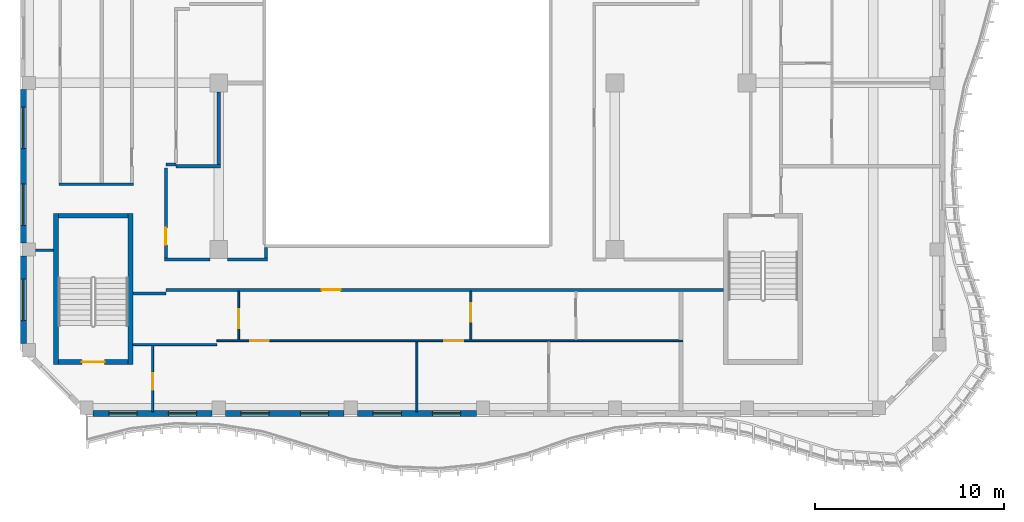
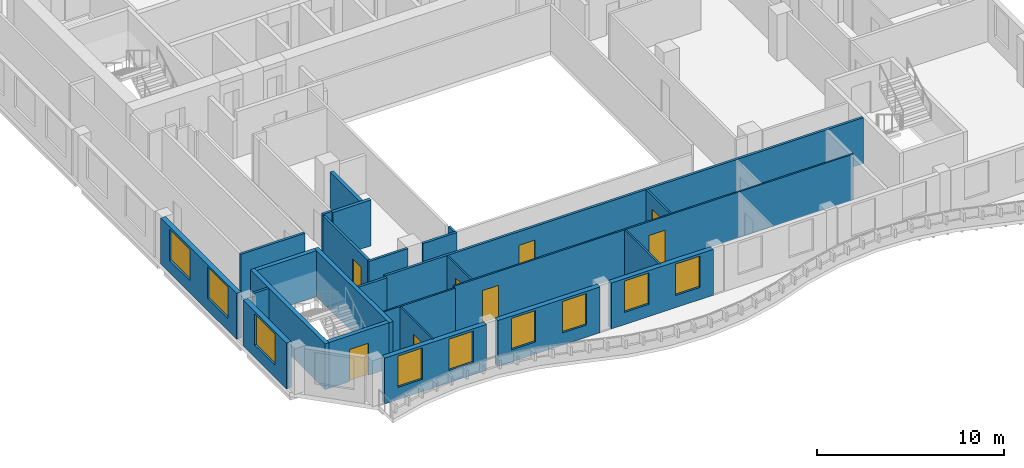
# One storey, part 2 of 13: 26 walls, 9 windows, 8 doors, 17 openings.
"""IFC4 building model written with IfcOpenShell, lengths in metres."""

from ifc_helpers import new_model, si_unit, direction, frame, frame_2d, origin, place, context, subcontext, project, spatial, rectangle, extrude, source, transform, mapped, material, layer, layer_set, type_object, element, fill, save


model = new_model("IFC4")

# Units and contexts
model_context = context("Model", 3, precision=1e-05, world=origin(), true_north=direction((0.0, 1.0)))
body_context = subcontext(model_context, "Body", "Model", "MODEL_VIEW")
ifc_project = project(units=[si_unit("LENGTHUNIT", "METRE"), si_unit("AREAUNIT", "SQUARE_METRE"), si_unit("VOLUMEUNIT", "CUBIC_METRE"), si_unit("PLANEANGLEUNIT", "RADIAN"), si_unit("MASSUNIT", "GRAM", prefix="KILO")], contexts=[model_context])

# Site, building, storey
site_placement = place(None, origin())
site = spatial("IfcSite", under=ifc_project, at=site_placement, CompositionType="ELEMENT")
building_placement = place(site_placement, origin())
building = spatial("IfcBuilding", under=site, at=building_placement, Name="Kilnfold Tower and Market Hall", CompositionType="ELEMENT")
storey_placement = place(building_placement, frame((0.0, 0.0, 259.39990234375)))
storey = spatial("IfcBuildingStorey", under=building, at=storey_placement, Name="L63", CompositionType="ELEMENT", Elevation=259.39990234375)

# Wall
ifc_material_1 = material(Name="Gypsum board on steel studs", Category="steel")
ifc_layer_1 = layer(ifc_material_1, 0.14990234375)
ifc_layer_set_1 = layer_set([ifc_layer_1], Name="Gypsum board on steel studs")
wall_type_1 = type_object("IfcWallType", Name="WALL CORRIDOR 150", PredefinedType="PARTITIONING", material=ifc_layer_set_1)
wall_1_placement = place(storey_placement, frame((-17.47509765625, -6.199951171875, 0.0), z_axis=(0.0, 0.0, 1.0), x_axis=(1.0, 0.0, 0.0)))
element("IfcWall", 1, at=wall_1_placement, inside=storey, type_object=wall_type_1, Name="Partition LY39.2", PredefinedType="PARTITIONING", context=body_context, shape_type="SweptSolid", body=[
    extrude(rectangle(XDim=3.9501953125, YDim=0.14990234375, at=frame_2d((1.97509765625, 0.0))), origin(), (0.0, 0.0, 1.0), 3.0),
])

# Wall, opening, door
wall_2_placement = place(storey_placement, frame((-11.800048828125, -11.800048828125, 0.0), z_axis=(0.0, 0.0, 1.0), x_axis=(1.0, 0.0, 0.0)))
wall_2 = element("IfcWall", 2, at=wall_2_placement, inside=storey, type_object=wall_type_1, Name="Partition LY39.9", PredefinedType="PARTITIONING", context=body_context, shape_type="SweptSolid", body=[
    extrude(rectangle(XDim=29.550048828125, YDim=0.14990234375, at=frame_2d((14.77490234375, 0.0))), origin(), (0.0, 0.0, 1.0), 3.0),
])
opening_1_placement = place(wall_2_placement, frame((8.260009765625, 0.0, 0.0)))
opening_1 = element("IfcOpeningElement", 3, at=opening_1_placement, cuts=wall_2, Name="Opening D1", PredefinedType="OPENING", context=body_context, shape_type="SweptSolid", body=[
    extrude(rectangle(XDim=1.0, YDim=2.10009765625, at=frame_2d((0.5, 1.050048828125))), frame((0.0, 0.0849609375, 0.0), z_axis=(0.0, -1.0, 0.0), x_axis=(1.0, 0.0, 0.0)), (0.0, 0.0, 1.0), 0.169921875),
])
ifc_material_2 = material(Name="Timber veneer door leaf in steel frame", Category="steel")
door_type_1 = type_object("IfcDoorType", Name="DOOR ENTRY 1000 X2100", OperationType="NOTDEFINED", PredefinedType="DOOR", material=ifc_material_2)
door_1_placement = place(opening_1_placement, origin())
door_1 = element("IfcDoor", 4, at=door_1_placement, inside=storey, type_object=door_type_1, Name="Door D1", OperationType="SINGLE_SWING_LEFT", OverallHeight=2.10009765625, OverallWidth=1.0, PredefinedType="DOOR", context=body_context, shape_type="SweptSolid", body=[
    extrude(rectangle(XDim=1.0, YDim=2.10009765625, at=frame_2d((0.5, 1.050048828125))), frame((0.0, 0.02490234375, 0.0), z_axis=(0.0, -1.0, 0.0), x_axis=(1.0, 0.0, 0.0)), (0.0, 0.0, 1.0), 0.050048828125),
])
fill(opening_1, door_1)

# Walls
wall_3_placement = place(storey_placement, frame((-13.550048828125, -12.0, 0.0), z_axis=(0.0, 0.0, 1.0), x_axis=(1.0, 0.0, 0.0)))
element("IfcWall", 5, at=wall_3_placement, inside=storey, type_object=wall_type_1, Name="Partition LY39.10", PredefinedType="PARTITIONING", context=body_context, shape_type="SweptSolid", body=[
    extrude(rectangle(XDim=1.75, YDim=0.14990234375, at=frame_2d((0.875, 0.0))), origin(), (0.0, 0.0, 1.0), 3.0),
])
wall_4_placement = place(storey_placement, frame((-18.699951171875, -9.699951171875, 0.0), z_axis=(0.0, 0.0, 1.0), x_axis=(1.0, 0.0, 0.0)))
element("IfcWall", 6, at=wall_4_placement, inside=storey, type_object=wall_type_1, Name="Partition LY39.11", PredefinedType="PARTITIONING", context=body_context, shape_type="SweptSolid", body=[
    extrude(rectangle(XDim=0.949951171875, YDim=0.14990234375, at=frame_2d((0.47509765625, 0.0))), origin(), (0.0, 0.0, 1.0), 3.0),
])
wall_5_placement = place(storey_placement, frame((-11.800048828125, -5.162109375, 0.0), z_axis=(0.0, 0.0, 1.0), x_axis=(1.0, 0.0, 0.0)))
element("IfcWall", 7, at=wall_5_placement, inside=storey, type_object=wall_type_1, Name="Partition LY39.24", PredefinedType="PARTITIONING", context=body_context, shape_type="SweptSolid", body=[
    extrude(rectangle(XDim=0.5439453125, YDim=0.14990234375, at=frame_2d((0.27197265625, 0.0))), origin(), (0.0, 0.0, 1.0), 3.0),
])

# Wall, opening, door
wall_6_placement = place(storey_placement, frame((-11.800048828125, -10.125, 0.0), z_axis=(0.0, 0.0, 1.0), x_axis=(0.0, 1.0, 0.0)))
wall_6 = element("IfcWall", 8, at=wall_6_placement, inside=storey, type_object=wall_type_1, Name="Partition LY39.28", PredefinedType="PARTITIONING", context=body_context, shape_type="SweptSolid", body=[
    extrude(rectangle(XDim=4.784912109375, YDim=0.14990234375, at=frame_2d((2.392578125, 0.0))), origin(), (0.0, 0.0, 1.0), 3.0),
])
opening_2_placement = place(wall_6_placement, frame((0.712890625, 0.0, 0.0)))
opening_2 = element("IfcOpeningElement", 9, at=opening_2_placement, cuts=wall_6, Name="Opening D2", PredefinedType="OPENING", context=body_context, shape_type="SweptSolid", body=[
    extrude(rectangle(XDim=0.89990234375, YDim=2.10009765625, at=frame_2d((0.449951171875, 1.050048828125))), frame((0.0, 0.0849609375, 0.0), z_axis=(0.0, -1.0, 0.0), x_axis=(1.0, 0.0, 0.0)), (0.0, 0.0, 1.0), 0.169921875),
])
ifc_material_3 = material(Name="Timber veneer door leaf in steel frame", Category="steel")
door_type_2 = type_object("IfcDoorType", Name="DOOR ROOM 900 X2100", OperationType="NOTDEFINED", PredefinedType="DOOR", material=ifc_material_3)
door_2_placement = place(opening_2_placement, origin())
door_2 = element("IfcDoor", 10, at=door_2_placement, inside=storey, type_object=door_type_2, Name="Door D2", OperationType="SINGLE_SWING_RIGHT", OverallHeight=2.10009765625, OverallWidth=0.89990234375, PredefinedType="DOOR", context=body_context, shape_type="SweptSolid", body=[
    extrude(rectangle(XDim=0.89990234375, YDim=2.10009765625, at=frame_2d((0.449951171875, 1.050048828125))), frame((0.0, 0.02490234375, 0.0), z_axis=(0.0, -1.0, 0.0), x_axis=(1.0, 0.0, 0.0)), (0.0, 0.0, 1.0), 0.050048828125),
])
fill(opening_2, door_2)

# Walls
wall_7_placement = place(storey_placement, frame((-8.52490234375, -10.199951171875, 0.0), z_axis=(0.0, 0.0, 1.0), x_axis=(1.0, 0.0, 0.0)))
element("IfcWall", 11, at=wall_7_placement, inside=storey, type_object=wall_type_1, Name="Partition LY39.29", PredefinedType="PARTITIONING", context=body_context, shape_type="SweptSolid", body=[
    extrude(rectangle(XDim=2.099853515625, YDim=0.14990234375, at=frame_2d((1.0498046875, 0.0))), origin(), (0.0, 0.0, 1.0), 3.0),
])
wall_8_placement = place(storey_placement, frame((-11.875, -10.199951171875, 0.0), z_axis=(0.0, 0.0, 1.0), x_axis=(1.0, 0.0, 0.0)))
element("IfcWall", 12, at=wall_8_placement, inside=storey, type_object=wall_type_1, Name="Partition LY39.30", PredefinedType="PARTITIONING", context=body_context, shape_type="SweptSolid", body=[
    extrude(rectangle(XDim=2.39990234375, YDim=0.14990234375, at=frame_2d((1.199951171875, 0.0))), origin(), (0.0, 0.0, 1.0), 3.0),
])
wall_9_placement = place(storey_placement, frame((-6.5, -9.550048828125, 0.0), z_axis=(0.0, 0.0, 1.0), x_axis=(0.0, -1.0, 0.0)))
element("IfcWall", 13, at=wall_9_placement, inside=storey, type_object=wall_type_1, Name="Partition LY39.31", PredefinedType="PARTITIONING", context=body_context, shape_type="SweptSolid", body=[
    extrude(rectangle(XDim=0.574951171875, YDim=0.14990234375, at=frame_2d((0.28759765625, 0.0))), origin(), (0.0, 0.0, 1.0), 3.0),
])

# Wall, opening, door
ifc_material_4 = material(Name="Gypsum board on steel studs", Category="steel")
ifc_layer_2 = layer(ifc_material_4, 0.10009765625)
ifc_layer_set_2 = layer_set([ifc_layer_2], Name="Gypsum board on steel studs")
wall_type_2 = type_object("IfcWallType", Name="WALL PARTITION 100", PredefinedType="PARTITIONING", material=ifc_layer_set_2)
wall_10_placement = place(storey_placement, frame((-7.93994140625, -14.449951171875, 0.0), z_axis=(0.0, 0.0, 1.0), x_axis=(0.0, 1.0, 0.0)))
wall_10 = element("IfcWall", 14, at=wall_10_placement, inside=storey, type_object=wall_type_2, Name="Partition LY39.44", PredefinedType="PARTITIONING", context=body_context, shape_type="SweptSolid", body=[
    extrude(rectangle(XDim=2.572998046875, YDim=0.10009765625, at=frame_2d((1.28662109375, 0.0))), origin(), (0.0, 0.0, 1.0), 3.0),
])
opening_3_placement = place(wall_10_placement, frame((0.626953125, 0.0, 0.0)))
opening_3 = element("IfcOpeningElement", 15, at=opening_3_placement, cuts=wall_10, Name="Opening D1", PredefinedType="OPENING", context=body_context, shape_type="SweptSolid", body=[
    extrude(rectangle(XDim=1.0, YDim=2.10009765625, at=frame_2d((0.5, 1.050048828125))), frame((0.0, 0.06005859375, 0.0), z_axis=(0.0, -1.0, 0.0), x_axis=(1.0, 0.0, 0.0)), (0.0, 0.0, 1.0), 0.1201171875),
])
door_3_placement = place(opening_3_placement, origin())
door_3 = element("IfcDoor", 16, at=door_3_placement, inside=storey, type_object=door_type_1, Name="Door D1", OperationType="SINGLE_SWING_RIGHT", OverallHeight=2.10009765625, OverallWidth=1.0, PredefinedType="DOOR", context=body_context, shape_type="SweptSolid", body=[
    extrude(rectangle(XDim=1.0, YDim=2.10009765625, at=frame_2d((0.5, 1.050048828125))), frame((0.0, 0.02490234375, 0.0), z_axis=(0.0, -1.0, 0.0), x_axis=(1.0, 0.0, 0.0)), (0.0, 0.0, 1.0), 0.050048828125),
])
fill(opening_3, door_3)

# Wall
wall_11_placement = place(storey_placement, frame((-13.550048828125, -14.699951171875, 0.0), z_axis=(0.0, 0.0, 1.0), x_axis=(1.0, 0.0, 0.0)))
element("IfcWall", 17, at=wall_11_placement, inside=storey, type_object=wall_type_2, Name="Partition LY39.45", PredefinedType="PARTITIONING", context=body_context, shape_type="SweptSolid", body=[
    extrude(rectangle(XDim=4.449951171875, YDim=0.10009765625, at=frame_2d((2.22509765625, 0.0))), origin(), (0.0, 0.0, 1.0), 3.0),
])

# Wall, openings, doors
wall_12_placement = place(storey_placement, frame((-9.10009765625, -14.5, 0.0), z_axis=(0.0, 0.0, 1.0), x_axis=(1.0, 0.0, 0.0)))
wall_12 = element("IfcWall", 18, at=wall_12_placement, inside=storey, type_object=wall_type_2, Name="Partition LY39.46", PredefinedType="PARTITIONING", context=body_context, shape_type="SweptSolid", body=[
    extrude(rectangle(XDim=24.7001953125, YDim=0.10009765625, at=frame_2d((12.35009765625, 0.0))), origin(), (0.0, 0.0, 1.0), 3.0),
])
opening_4_placement = place(wall_12_placement, frame((1.762939453125, 0.0, 0.0)))
opening_4 = element("IfcOpeningElement", 19, at=opening_4_placement, cuts=wall_12, Name="Opening D1", PredefinedType="OPENING", context=body_context, shape_type="SweptSolid", body=[
    extrude(rectangle(XDim=1.0, YDim=2.10009765625, at=frame_2d((0.5, 1.050048828125))), frame((0.0, 0.06005859375, 0.0), z_axis=(0.0, -1.0, 0.0), x_axis=(1.0, 0.0, 0.0)), (0.0, 0.0, 1.0), 0.1201171875),
])
opening_5_placement = place(wall_12_placement, frame((12.054931640625, 0.0, 0.0)))
opening_5 = element("IfcOpeningElement", 20, at=opening_5_placement, cuts=wall_12, Name="Opening D1", PredefinedType="OPENING", context=body_context, shape_type="SweptSolid", body=[
    extrude(rectangle(XDim=1.0, YDim=2.10009765625, at=frame_2d((0.5, 1.050048828125))), frame((0.0, 0.06005859375, 0.0), z_axis=(0.0, -1.0, 0.0), x_axis=(1.0, 0.0, 0.0)), (0.0, 0.0, 1.0), 0.1201171875),
])
door_4_placement = place(opening_4_placement, origin())
door_4 = element("IfcDoor", 21, at=door_4_placement, inside=storey, type_object=door_type_1, Name="Door D1", OperationType="SINGLE_SWING_LEFT", OverallHeight=2.10009765625, OverallWidth=1.0, PredefinedType="DOOR", context=body_context, shape_type="SweptSolid", body=[
    extrude(rectangle(XDim=1.0, YDim=2.10009765625, at=frame_2d((0.5, 1.050048828125))), frame((0.0, 0.02490234375, 0.0), z_axis=(0.0, -1.0, 0.0), x_axis=(1.0, 0.0, 0.0)), (0.0, 0.0, 1.0), 0.050048828125),
])
fill(opening_4, door_4)
door_5_placement = place(opening_5_placement, origin())
door_5 = element("IfcDoor", 22, at=door_5_placement, inside=storey, type_object=door_type_1, Name="Door D1", OperationType="SINGLE_SWING_LEFT", OverallHeight=2.10009765625, OverallWidth=1.0, PredefinedType="DOOR", context=body_context, shape_type="SweptSolid", body=[
    extrude(rectangle(XDim=1.0, YDim=2.10009765625, at=frame_2d((0.5, 1.050048828125))), frame((0.0, 0.02490234375, 0.0), z_axis=(0.0, -1.0, 0.0), x_axis=(1.0, 0.0, 0.0)), (0.0, 0.0, 1.0), 0.050048828125),
])
fill(opening_5, door_5)

# Wall, opening, door
wall_13_placement = place(storey_placement, frame((4.365966796875, -14.449951171875, 0.0), z_axis=(0.0, 0.0, 1.0), x_axis=(0.0, 1.0, 0.0)))
wall_13 = element("IfcWall", 23, at=wall_13_placement, inside=storey, type_object=wall_type_2, Name="Partition LY39.47", PredefinedType="PARTITIONING", context=body_context, shape_type="SweptSolid", body=[
    extrude(rectangle(XDim=2.572998046875, YDim=0.10009765625, at=frame_2d((1.28662109375, 0.0))), origin(), (0.0, 0.0, 1.0), 3.0),
])
opening_6_placement = place(wall_13_placement, frame((0.946044921875, 0.0, 0.0)))
opening_6 = element("IfcOpeningElement", 24, at=opening_6_placement, cuts=wall_13, Name="Opening D1", PredefinedType="OPENING", context=body_context, shape_type="SweptSolid", body=[
    extrude(rectangle(XDim=1.0, YDim=2.10009765625, at=frame_2d((0.5, 1.050048828125))), frame((0.0, 0.06005859375, 0.0), z_axis=(0.0, -1.0, 0.0), x_axis=(1.0, 0.0, 0.0)), (0.0, 0.0, 1.0), 0.1201171875),
])
door_6_placement = place(opening_6_placement, origin())
door_6 = element("IfcDoor", 25, at=door_6_placement, inside=storey, type_object=door_type_1, Name="Door D1", OperationType="SINGLE_SWING_RIGHT", OverallHeight=2.10009765625, OverallWidth=1.0, PredefinedType="DOOR", context=body_context, shape_type="SweptSolid", body=[
    extrude(rectangle(XDim=1.0, YDim=2.10009765625, at=frame_2d((0.5, 1.050048828125))), frame((0.0, 0.02490234375, 0.0), z_axis=(0.0, -1.0, 0.0), x_axis=(1.0, 0.0, 0.0)), (0.0, 0.0, 1.0), 0.050048828125),
])
fill(opening_6, door_6)

wall_14_placement = place(storey_placement, frame((-12.5, -18.25, 0.0), z_axis=(0.0, 0.0, 1.0), x_axis=(0.0, 1.0, 0.0)))
wall_14 = element("IfcWall", 26, at=wall_14_placement, inside=storey, type_object=wall_type_2, Name="Partition LY39.50", PredefinedType="PARTITIONING", context=body_context, shape_type="SweptSolid", body=[
    extrude(rectangle(XDim=3.498046875, YDim=0.10009765625, at=frame_2d((1.7490234375, 0.0))), origin(), (0.0, 0.0, 1.0), 3.0),
])
opening_7_placement = place(wall_14_placement, frame((1.14208984375, 0.0, 0.0)))
opening_7 = element("IfcOpeningElement", 27, at=opening_7_placement, cuts=wall_14, Name="Opening D2", PredefinedType="OPENING", context=body_context, shape_type="SweptSolid", body=[
    extrude(rectangle(XDim=0.89990234375, YDim=2.10009765625, at=frame_2d((0.449951171875, 1.050048828125))), frame((0.0, 0.06005859375, 0.0), z_axis=(0.0, -1.0, 0.0), x_axis=(1.0, 0.0, 0.0)), (0.0, 0.0, 1.0), 0.1201171875),
])
door_7_placement = place(opening_7_placement, origin())
door_7 = element("IfcDoor", 28, at=door_7_placement, inside=storey, type_object=door_type_2, Name="Door D2", OperationType="SINGLE_SWING_LEFT", OverallHeight=2.10009765625, OverallWidth=0.89990234375, PredefinedType="DOOR", context=body_context, shape_type="SweptSolid", body=[
    extrude(rectangle(XDim=0.89990234375, YDim=2.10009765625, at=frame_2d((0.449951171875, 1.050048828125))), frame((0.0, 0.02490234375, 0.0), z_axis=(0.0, -1.0, 0.0), x_axis=(1.0, 0.0, 0.0)), (0.0, 0.0, 1.0), 0.050048828125),
])
fill(opening_7, door_7)

# Walls
wall_15_placement = place(storey_placement, frame((1.5, -18.25, 0.0), z_axis=(0.0, 0.0, 1.0), x_axis=(0.0, 1.0, 0.0)))
element("IfcWall", 29, at=wall_15_placement, inside=storey, type_object=wall_type_2, Name="Partition LY39.51", PredefinedType="PARTITIONING", context=body_context, shape_type="SweptSolid", body=[
    extrude(rectangle(XDim=3.697998046875, YDim=0.10009765625, at=frame_2d((1.84912109375, 0.0))), origin(), (0.0, 0.0, 1.0), 3.0),
])
ifc_material_5 = material(Name="Gypsum board on steel studs", Category="steel")
ifc_layer_3 = layer(ifc_material_5, 0.199951171875)
ifc_layer_set_3 = layer_set([ifc_layer_3], Name="Gypsum board on steel studs")
wall_type_3 = type_object("IfcWallType", Name="WALL PARTY 200", PredefinedType="PARTITIONING", material=ifc_layer_set_3)
wall_16_placement = place(storey_placement, frame((-9.0, -5.14990234375, 0.0), z_axis=(0.0, 0.0, 1.0), x_axis=(0.0, 1.0, 0.0)))
element("IfcWall", 30, at=wall_16_placement, inside=storey, type_object=wall_type_3, Name="Partition LY39.78", PredefinedType="PARTITIONING", context=body_context, shape_type="SweptSolid", body=[
    extrude(rectangle(XDim=3.841796875, YDim=0.199951171875, at=frame_2d((1.9208984375, 0.0))), origin(), (0.0, 0.0, 1.0), 2.4501953125),
])
wall_17_placement = place(storey_placement, frame((-11.256103515625, -5.25, 0.0), z_axis=(0.0, 0.0, 1.0), x_axis=(1.0, 0.0, 0.0)))
element("IfcWall", 31, at=wall_17_placement, inside=storey, type_object=wall_type_3, Name="Partition LY39.79", PredefinedType="PARTITIONING", context=body_context, shape_type="SweptSolid", body=[
    extrude(rectangle(XDim=2.356201171875, YDim=0.199951171875, at=frame_2d((1.17822265625, 0.0))), origin(), (0.0, 0.0, 1.0), 3.0),
])

# Wall, opening, door
ifc_material_6 = material(Name="Concrete C60", Category="concrete")
ifc_layer_4 = layer(ifc_material_6, 0.25)
ifc_layer_set_4 = layer_set([ifc_layer_4], Name="Concrete C60")
wall_type_4 = type_object("IfcWallType", Name="CORE WALL 250 C60", PredefinedType="SHEAR", material=ifc_layer_set_4)
shared_shape_1 = source(origin(), body_context, "Body", "SweptSolid", [
    extrude(rectangle(XDim=3.699951171875, YDim=0.25, at=frame_2d((1.85009765625, 0.0))), origin(), (0.0, 0.0, 1.0), 3.0),
])
wall_18_placement = place(storey_placement, frame((-17.5, -15.625, 0.0), z_axis=(0.0, 0.0, 1.0), x_axis=(1.0, 0.0, 0.0)))
wall_18 = element("IfcWall", 32, at=wall_18_placement, inside=storey, type_object=wall_type_4, Name="Stair enclosure ST3", PredefinedType="SHEAR", context=body_context, shape_type="MappedRepresentation", body=[
    mapped(shared_shape_1, transform((0.0, 0.0, 0.0))),
])
opening_8_placement = place(wall_18_placement, frame((1.25, 0.0, 0.0)))
opening_8 = element("IfcOpeningElement", 33, at=opening_8_placement, cuts=wall_18, Name="Opening SD1", PredefinedType="OPENING", context=body_context, shape_type="SweptSolid", body=[
    extrude(rectangle(XDim=1.199951171875, YDim=2.10009765625, at=frame_2d((0.60009765625, 1.050048828125))), frame((0.0, 0.135009765625, 0.0), z_axis=(0.0, -1.0, 0.0), x_axis=(1.0, 0.0, 0.0)), (0.0, 0.0, 1.0), 0.27001953125),
])
ifc_material_7 = material(Name="Steel door set with fire-resisting leaf", Category="steel")
door_type_3 = type_object("IfcDoorType", Name="STAIR FLOOR DOOR 1200X2100", OperationType="NOTDEFINED", PredefinedType="DOOR", material=ifc_material_7)
door_8_placement = place(opening_8_placement, origin())
door_8 = element("IfcDoor", 34, at=door_8_placement, inside=storey, type_object=door_type_3, Name="Exit stair ST3 door", OperationType="DOUBLE_DOOR_SINGLE_SWING", OverallHeight=2.10009765625, OverallWidth=1.199951171875, PredefinedType="DOOR", context=body_context, shape_type="SweptSolid", body=[
    extrude(rectangle(XDim=1.199951171875, YDim=2.10009765625, at=frame_2d((0.60009765625, 1.050048828125))), frame((0.0, 0.02490234375, 0.0), z_axis=(0.0, -1.0, 0.0), x_axis=(1.0, 0.0, 0.0)), (0.0, 0.0, 1.0), 0.050048828125),
])
fill(opening_8, door_8)

# Walls
wall_19_placement = place(storey_placement, frame((-17.5, -7.875, 0.0), z_axis=(0.0, 0.0, 1.0), x_axis=(1.0, 0.0, 0.0)))
element("IfcWall", 35, at=wall_19_placement, inside=storey, type_object=wall_type_4, Name="Stair enclosure ST3", PredefinedType="SHEAR", context=body_context, shape_type="MappedRepresentation", body=[
    mapped(shared_shape_1, transform((0.0, 0.0, 0.0))),
])
shared_shape_2 = source(origin(), body_context, "Body", "SweptSolid", [
    extrude(rectangle(XDim=8.0, YDim=0.25, at=frame_2d((4.0, 0.0))), origin(), (0.0, 0.0, 1.0), 3.0),
])
for number, where, z_axis, x_axis, name in (
    (36, (-17.625, -15.75, 0.0), (0.0, 0.0, 1.0), (0.0, 1.0, 0.0), "Stair enclosure ST3"),
    (37, (-13.675048828125, -15.75, 0.0), (0.0, 0.0, 1.0), (0.0, 1.0, 0.0), "Stair enclosure ST3"),
):
    element("IfcWall", number, at=place(storey_placement, frame(where, z_axis=z_axis, x_axis=x_axis)), inside=storey, type_object=wall_type_4, Name=name, PredefinedType="SHEAR", context=body_context, shape_type="MappedRepresentation", body=[
        mapped(shared_shape_2, transform((0.0, 0.0, 0.0))),
    ])

# Wall, openings, windows
ifc_material_8 = material(Name="Precast concrete C50/60", Category="concrete")
ifc_layer_5 = layer(ifc_material_8, 0.300048828125)
ifc_layer_set_5 = layer_set([ifc_layer_5], Name="Precast concrete C50/60")
wall_type_5 = type_object("IfcWallType", Name="PRECAST WALL 300", PredefinedType="SOLIDWALL", material=ifc_layer_set_5)
shared_shape_3 = source(origin(), body_context, "Body", "SweptSolid", [
    extrude(rectangle(XDim=6.2998046875, YDim=0.300048828125, at=frame_2d((3.14990234375, 0.0))), origin(), (0.0, 0.0, 1.0), 3.0),
])
wall_20_placement = place(storey_placement, frame((-15.64990234375, -18.35009765625, 0.0), z_axis=(0.0, 0.0, 1.0), x_axis=(1.0, 0.0, 0.0)))
wall_20 = element("IfcWall", 38, at=wall_20_placement, inside=storey, type_object=wall_type_5, Name="External wall L63 S", PredefinedType="SOLIDWALL", context=body_context, shape_type="MappedRepresentation", body=[
    mapped(shared_shape_3, transform((0.0, 0.0, 0.0))),
])
opening_9_placement = place(wall_20_placement, frame((0.824951171875, 0.0, 0.800048828125)))
opening_9 = element("IfcOpeningElement", 39, at=opening_9_placement, cuts=wall_20, Name="Opening W5", PredefinedType="OPENING", context=body_context, shape_type="SweptSolid", body=[
    extrude(rectangle(XDim=1.5, YDim=2.050048828125, at=frame_2d((0.75, 1.02490234375))), frame((0.0, 0.16015625, 0.0), z_axis=(0.0, -1.0, 0.0), x_axis=(1.0, 0.0, 0.0)), (0.0, 0.0, 1.0), 0.320068359375),
])
opening_10_placement = place(wall_20_placement, frame((3.97509765625, 0.0, 0.800048828125)))
opening_10 = element("IfcOpeningElement", 40, at=opening_10_placement, cuts=wall_20, Name="Opening W5", PredefinedType="OPENING", context=body_context, shape_type="SweptSolid", body=[
    extrude(rectangle(XDim=1.5, YDim=2.050048828125, at=frame_2d((0.75, 1.02490234375))), frame((0.0, 0.16015625, 0.0), z_axis=(0.0, -1.0, 0.0), x_axis=(1.0, 0.0, 0.0)), (0.0, 0.0, 1.0), 0.320068359375),
])
ifc_material_9 = material(Name="Aluminium frame and double glazing", Category="aluminium")
window_type_1 = type_object("IfcWindowType", Name="WINDOW W5 1500X2050", PartitioningType="SINGLE_PANEL", PredefinedType="WINDOW", material=ifc_material_9)
window_1_placement = place(opening_9_placement, origin())
window_1 = element("IfcWindow", 41, at=window_1_placement, inside=storey, type_object=window_type_1, Name="Window W5 L63 S-1", OverallHeight=2.050048828125, OverallWidth=1.5, PartitioningType="SINGLE_PANEL", PredefinedType="WINDOW", context=body_context, shape_type="SweptSolid", body=[
    extrude(rectangle(XDim=1.5, YDim=2.050048828125, at=frame_2d((0.75, 1.02490234375))), frame((0.0, 0.030029296875, 0.0), z_axis=(0.0, -1.0, 0.0), x_axis=(1.0, 0.0, 0.0)), (0.0, 0.0, 1.0), 0.06005859375),
])
fill(opening_9, window_1)
window_2_placement = place(opening_10_placement, origin())
window_2 = element("IfcWindow", 42, at=window_2_placement, inside=storey, type_object=window_type_1, Name="Window W5 L63 S-2", OverallHeight=2.050048828125, OverallWidth=1.5, PartitioningType="SINGLE_PANEL", PredefinedType="WINDOW", context=body_context, shape_type="SweptSolid", body=[
    extrude(rectangle(XDim=1.5, YDim=2.050048828125, at=frame_2d((0.75, 1.02490234375))), frame((0.0, 0.030029296875, 0.0), z_axis=(0.0, -1.0, 0.0), x_axis=(1.0, 0.0, 0.0)), (0.0, 0.0, 1.0), 0.06005859375),
])
fill(opening_10, window_2)

wall_21_placement = place(storey_placement, frame((-8.64990234375, -18.35009765625, 0.0), z_axis=(0.0, 0.0, 1.0), x_axis=(1.0, 0.0, 0.0)))
wall_21 = element("IfcWall", 43, at=wall_21_placement, inside=storey, type_object=wall_type_5, Name="External wall L63 S", PredefinedType="SOLIDWALL", context=body_context, shape_type="MappedRepresentation", body=[
    mapped(shared_shape_3, transform((0.0, 0.0, 0.0))),
])
opening_11_placement = place(wall_21_placement, frame((0.824951171875, 0.0, 0.800048828125)))
opening_11 = element("IfcOpeningElement", 44, at=opening_11_placement, cuts=wall_21, Name="Opening W5", PredefinedType="OPENING", context=body_context, shape_type="SweptSolid", body=[
    extrude(rectangle(XDim=1.5, YDim=2.050048828125, at=frame_2d((0.75, 1.02490234375))), frame((0.0, 0.16015625, 0.0), z_axis=(0.0, -1.0, 0.0), x_axis=(1.0, 0.0, 0.0)), (0.0, 0.0, 1.0), 0.320068359375),
])
opening_12_placement = place(wall_21_placement, frame((3.97509765625, 0.0, 0.800048828125)))
opening_12 = element("IfcOpeningElement", 45, at=opening_12_placement, cuts=wall_21, Name="Opening W5", PredefinedType="OPENING", context=body_context, shape_type="SweptSolid", body=[
    extrude(rectangle(XDim=1.5, YDim=2.050048828125, at=frame_2d((0.75, 1.02490234375))), frame((0.0, 0.16015625, 0.0), z_axis=(0.0, -1.0, 0.0), x_axis=(1.0, 0.0, 0.0)), (0.0, 0.0, 1.0), 0.320068359375),
])
window_3_placement = place(opening_11_placement, origin())
window_3 = element("IfcWindow", 46, at=window_3_placement, inside=storey, type_object=window_type_1, Name="Window W5 L63 S-1", OverallHeight=2.050048828125, OverallWidth=1.5, PartitioningType="SINGLE_PANEL", PredefinedType="WINDOW", context=body_context, shape_type="SweptSolid", body=[
    extrude(rectangle(XDim=1.5, YDim=2.050048828125, at=frame_2d((0.75, 1.02490234375))), frame((0.0, 0.030029296875, 0.0), z_axis=(0.0, -1.0, 0.0), x_axis=(1.0, 0.0, 0.0)), (0.0, 0.0, 1.0), 0.06005859375),
])
fill(opening_11, window_3)
window_4_placement = place(opening_12_placement, origin())
window_4 = element("IfcWindow", 47, at=window_4_placement, inside=storey, type_object=window_type_1, Name="Window W5 L63 S-2", OverallHeight=2.050048828125, OverallWidth=1.5, PartitioningType="SINGLE_PANEL", PredefinedType="WINDOW", context=body_context, shape_type="SweptSolid", body=[
    extrude(rectangle(XDim=1.5, YDim=2.050048828125, at=frame_2d((0.75, 1.02490234375))), frame((0.0, 0.030029296875, 0.0), z_axis=(0.0, -1.0, 0.0), x_axis=(1.0, 0.0, 0.0)), (0.0, 0.0, 1.0), 0.06005859375),
])
fill(opening_12, window_4)

wall_22_placement = place(storey_placement, frame((-1.64990234375, -18.35009765625, 0.0), z_axis=(0.0, 0.0, 1.0), x_axis=(1.0, 0.0, 0.0)))
wall_22 = element("IfcWall", 48, at=wall_22_placement, inside=storey, type_object=wall_type_5, Name="External wall L63 S", PredefinedType="SOLIDWALL", context=body_context, shape_type="MappedRepresentation", body=[
    mapped(shared_shape_3, transform((0.0, 0.0, 0.0))),
])
opening_13_placement = place(wall_22_placement, frame((0.824951171875, 0.0, 0.800048828125)))
opening_13 = element("IfcOpeningElement", 49, at=opening_13_placement, cuts=wall_22, Name="Opening W5", PredefinedType="OPENING", context=body_context, shape_type="SweptSolid", body=[
    extrude(rectangle(XDim=1.5, YDim=2.050048828125, at=frame_2d((0.75, 1.02490234375))), frame((0.0, 0.16015625, 0.0), z_axis=(0.0, -1.0, 0.0), x_axis=(1.0, 0.0, 0.0)), (0.0, 0.0, 1.0), 0.320068359375),
])
opening_14_placement = place(wall_22_placement, frame((3.97509765625, 0.0, 0.800048828125)))
opening_14 = element("IfcOpeningElement", 50, at=opening_14_placement, cuts=wall_22, Name="Opening W5", PredefinedType="OPENING", context=body_context, shape_type="SweptSolid", body=[
    extrude(rectangle(XDim=1.5, YDim=2.050048828125, at=frame_2d((0.75, 1.02490234375))), frame((0.0, 0.16015625, 0.0), z_axis=(0.0, -1.0, 0.0), x_axis=(1.0, 0.0, 0.0)), (0.0, 0.0, 1.0), 0.320068359375),
])
window_5_placement = place(opening_13_placement, origin())
window_5 = element("IfcWindow", 51, at=window_5_placement, inside=storey, type_object=window_type_1, Name="Window W5 L63 S-1", OverallHeight=2.050048828125, OverallWidth=1.5, PartitioningType="SINGLE_PANEL", PredefinedType="WINDOW", context=body_context, shape_type="SweptSolid", body=[
    extrude(rectangle(XDim=1.5, YDim=2.050048828125, at=frame_2d((0.75, 1.02490234375))), frame((0.0, 0.030029296875, 0.0), z_axis=(0.0, -1.0, 0.0), x_axis=(1.0, 0.0, 0.0)), (0.0, 0.0, 1.0), 0.06005859375),
])
fill(opening_13, window_5)
window_6_placement = place(opening_14_placement, origin())
window_6 = element("IfcWindow", 52, at=window_6_placement, inside=storey, type_object=window_type_1, Name="Window W5 L63 S-2", OverallHeight=2.050048828125, OverallWidth=1.5, PartitioningType="SINGLE_PANEL", PredefinedType="WINDOW", context=body_context, shape_type="SweptSolid", body=[
    extrude(rectangle(XDim=1.5, YDim=2.050048828125, at=frame_2d((0.75, 1.02490234375))), frame((0.0, 0.030029296875, 0.0), z_axis=(0.0, -1.0, 0.0), x_axis=(1.0, 0.0, 0.0)), (0.0, 0.0, 1.0), 0.06005859375),
])
fill(opening_14, window_6)

shared_shape_4 = source(origin(), body_context, "Body", "SweptSolid", [
    extrude(rectangle(XDim=8.13330078125, YDim=0.300048828125, at=frame_2d((4.066650390625, 0.0))), origin(), (0.0, 0.0, 1.0), 3.0),
])
wall_23_placement = place(storey_placement, frame((-19.35009765625, -1.183349609375, 0.0), z_axis=(0.0, 0.0, 1.0), x_axis=(0.0, -1.0, 0.0)))
wall_23 = element("IfcWall", 53, at=wall_23_placement, inside=storey, type_object=wall_type_5, Name="External wall L63 W", PredefinedType="SOLIDWALL", context=body_context, shape_type="MappedRepresentation", body=[
    mapped(shared_shape_4, transform((0.0, 0.0, 0.0))),
])
opening_15_placement = place(wall_23_placement, frame((0.933349609375, 0.0, 0.800048828125)))
opening_15 = element("IfcOpeningElement", 54, at=opening_15_placement, cuts=wall_23, Name="Opening W3", PredefinedType="OPENING", context=body_context, shape_type="SweptSolid", body=[
    extrude(rectangle(XDim=2.199951171875, YDim=2.050048828125, at=frame_2d((1.10009765625, 1.02490234375))), frame((0.0, 0.16015625, 0.0), z_axis=(0.0, -1.0, 0.0), x_axis=(1.0, 0.0, 0.0)), (0.0, 0.0, 1.0), 0.320068359375),
])
opening_16_placement = place(wall_23_placement, frame((5.0, 0.0, 0.800048828125)))
opening_16 = element("IfcOpeningElement", 55, at=opening_16_placement, cuts=wall_23, Name="Opening W3", PredefinedType="OPENING", context=body_context, shape_type="SweptSolid", body=[
    extrude(rectangle(XDim=2.199951171875, YDim=2.050048828125, at=frame_2d((1.10009765625, 1.02490234375))), frame((0.0, 0.16015625, 0.0), z_axis=(0.0, -1.0, 0.0), x_axis=(1.0, 0.0, 0.0)), (0.0, 0.0, 1.0), 0.320068359375),
])
ifc_material_10 = material(Name="Aluminium frame and double glazing", Category="aluminium")
window_type_2 = type_object("IfcWindowType", Name="WINDOW W3 2200X2050", PartitioningType="SINGLE_PANEL", PredefinedType="WINDOW", material=ifc_material_10)
window_7_placement = place(opening_15_placement, origin())
window_7 = element("IfcWindow", 56, at=window_7_placement, inside=storey, type_object=window_type_2, Name="Window W3 L63 W-1", OverallHeight=2.050048828125, OverallWidth=2.199951171875, PartitioningType="SINGLE_PANEL", PredefinedType="WINDOW", context=body_context, shape_type="SweptSolid", body=[
    extrude(rectangle(XDim=2.199951171875, YDim=2.050048828125, at=frame_2d((1.10009765625, 1.02490234375))), frame((0.0, 0.030029296875, 0.0), z_axis=(0.0, -1.0, 0.0), x_axis=(1.0, 0.0, 0.0)), (0.0, 0.0, 1.0), 0.06005859375),
])
fill(opening_15, window_7)
window_8_placement = place(opening_16_placement, origin())
window_8 = element("IfcWindow", 57, at=window_8_placement, inside=storey, type_object=window_type_2, Name="Window W3 L63 W-2", OverallHeight=2.050048828125, OverallWidth=2.199951171875, PartitioningType="SINGLE_PANEL", PredefinedType="WINDOW", context=body_context, shape_type="SweptSolid", body=[
    extrude(rectangle(XDim=2.199951171875, YDim=2.050048828125, at=frame_2d((1.10009765625, 1.02490234375))), frame((0.0, 0.030029296875, 0.0), z_axis=(0.0, -1.0, 0.0), x_axis=(1.0, 0.0, 0.0)), (0.0, 0.0, 1.0), 0.06005859375),
])
fill(opening_16, window_8)

# Wall, opening, window
shared_shape_5 = source(origin(), body_context, "Body", "SweptSolid", [
    extrude(rectangle(XDim=4.63330078125, YDim=0.300048828125, at=frame_2d((2.316650390625, 0.0))), origin(), (0.0, 0.0, 1.0), 3.0),
])
wall_24_placement = place(storey_placement, frame((-19.35009765625, -10.0166015625, 0.0), z_axis=(0.0, 0.0, 1.0), x_axis=(0.0, -1.0, 0.0)))
wall_24 = element("IfcWall", 58, at=wall_24_placement, inside=storey, type_object=wall_type_5, Name="External wall L63 W", PredefinedType="SOLIDWALL", context=body_context, shape_type="MappedRepresentation", body=[
    mapped(shared_shape_5, transform((0.0, 0.0, 0.0))),
])
opening_17_placement = place(wall_24_placement, frame((1.216552734375, 0.0, 0.800048828125)))
opening_17 = element("IfcOpeningElement", 59, at=opening_17_placement, cuts=wall_24, Name="Opening W3", PredefinedType="OPENING", context=body_context, shape_type="SweptSolid", body=[
    extrude(rectangle(XDim=2.199951171875, YDim=2.050048828125, at=frame_2d((1.10009765625, 1.02490234375))), frame((0.0, 0.16015625, 0.0), z_axis=(0.0, -1.0, 0.0), x_axis=(1.0, 0.0, 0.0)), (0.0, 0.0, 1.0), 0.320068359375),
])
window_9_placement = place(opening_17_placement, origin())
window_9 = element("IfcWindow", 60, at=window_9_placement, inside=storey, type_object=window_type_2, Name="Window W3 L63 W-1", OverallHeight=2.050048828125, OverallWidth=2.199951171875, PartitioningType="SINGLE_PANEL", PredefinedType="WINDOW", context=body_context, shape_type="SweptSolid", body=[
    extrude(rectangle(XDim=2.199951171875, YDim=2.050048828125, at=frame_2d((1.10009765625, 1.02490234375))), frame((0.0, 0.030029296875, 0.0), z_axis=(0.0, -1.0, 0.0), x_axis=(1.0, 0.0, 0.0)), (0.0, 0.0, 1.0), 0.06005859375),
])
fill(opening_17, window_9)

save(model, "model.ifc")
